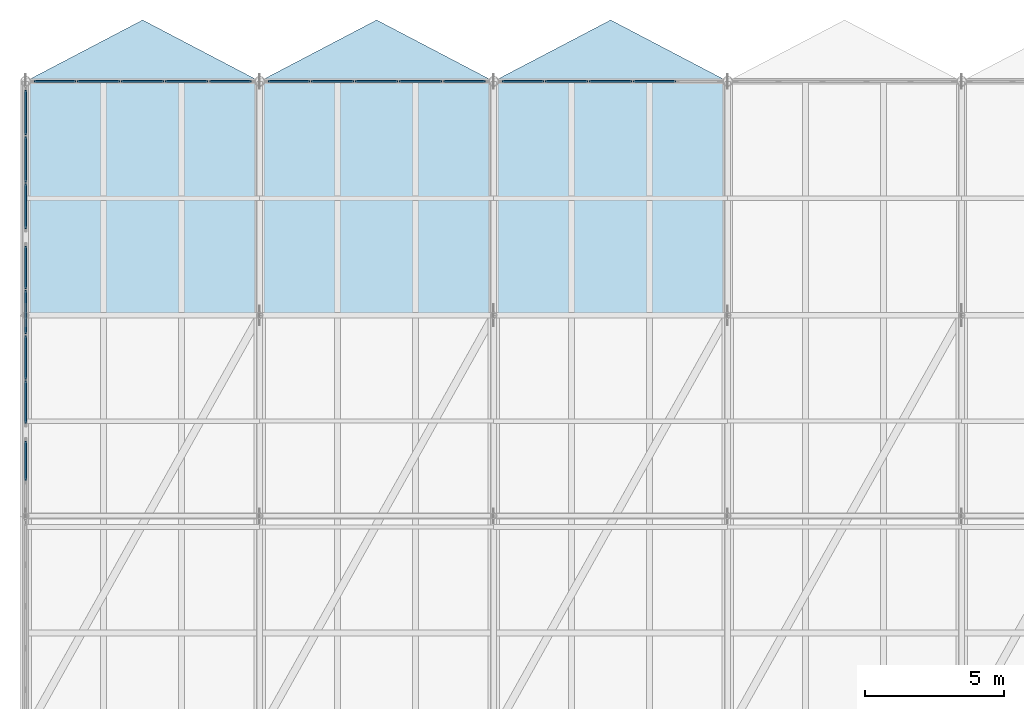
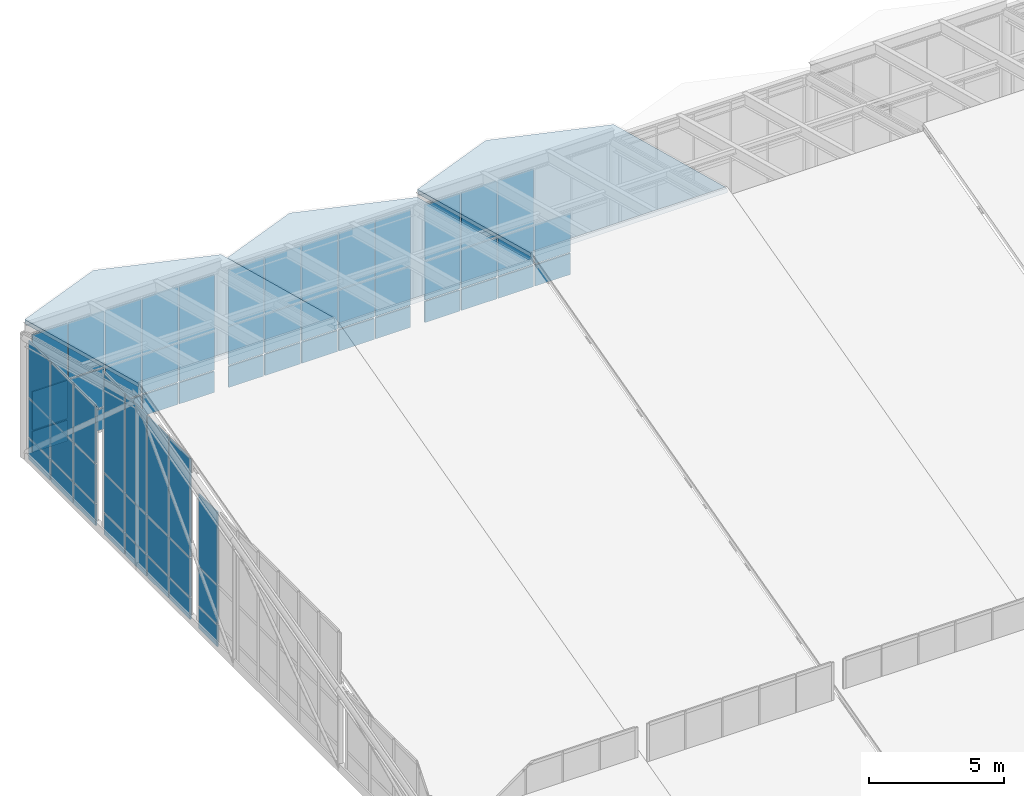
# One storey, part 37 of 43: 65 plates, 3 slabs, 6 elements without a shape of their own.
"""IFC4 building model written with IfcOpenShell, lengths in metres."""

from ifc_helpers import new_model, si_unit, direction, frame, origin, origin_2d, place, context, subcontext, project, spatial, polyline, rectangle, outline, extrude, material, layer, layer_set, type_object, element, aggregate, save


model = new_model("IFC4")

# Units and contexts
model_context = context("Model", 3, precision=1e-05, world=origin(), true_north=direction((0.0, 1.0)))
body_context = subcontext(model_context, "Body", "Model", "MODEL_VIEW")
ifc_project = project(units=[si_unit("LENGTHUNIT", "METRE"), si_unit("AREAUNIT", "SQUARE_METRE"), si_unit("VOLUMEUNIT", "CUBIC_METRE"), si_unit("PLANEANGLEUNIT", "RADIAN"), si_unit("MASSUNIT", "GRAM", prefix="KILO")], contexts=[model_context])

# Site, building, storey
site_placement = place(None, origin())
site = spatial("IfcSite", under=ifc_project, at=site_placement, CompositionType="ELEMENT")
building_placement = place(site_placement, origin())
building = spatial("IfcBuilding", under=site, at=building_placement, Name="Selat Folded Stagehouse", CompositionType="ELEMENT")
storey_placement = place(building_placement, frame((0.0, 0.0, 32.39990234375)))
storey = spatial("IfcBuildingStorey", under=building, at=storey_placement, Name="RF", CompositionType="ELEMENT", Elevation=32.39990234375)

# Curtain wall, plates
ifc_material_1 = material(Name="Aluminium 6063-T6", Category="aluminium")
ifc_layer_1 = layer(ifc_material_1, 0.169921875)
ifc_layer_set_1 = layer_set([ifc_layer_1], Name="Aluminium 6063-T6")
curtain_wall_type = type_object("IfcCurtainWallType", Name="CW-CRN-CLER", PredefinedType="NOTDEFINED", material=ifc_layer_set_1)
curtain_wall_1_placement = place(storey_placement, origin())
curtain_wall_1 = element("IfcCurtainWall", 1, at=curtain_wall_1_placement, inside=storey, type_object=curtain_wall_type, Name="RF curtain wall CW-RF-N-00", PredefinedType="NOTDEFINED")
ifc_material_2 = material(Name="Acoustic weather-louvre and frit crown panel", Category="aluminium")
ifc_layer_2 = layer(ifc_material_2, 0.06201171875)
ifc_layer_set_2 = layer_set([ifc_layer_2], Name="Acoustic weather-louvre and frit crown panel")
plate_type = type_object("IfcPlateType", Name="CWP-LVR-ALU62", PredefinedType="CURTAIN_PANEL", material=ifc_layer_set_2)
plate_1_placement = place(storey_placement, frame((9.455078125, 54.60009765625, 0.06494140625), z_axis=(0.0, 0.0, 1.0), x_axis=(1.0, 0.0, 0.0)))
plate_1 = element("IfcPlate", 2, at=plate_1_placement, type_object=plate_type, Name="CW-09 panel 1.1", PredefinedType="CURTAIN_PANEL", context=body_context, shape_type="SweptSolid", body=[
    extrude(rectangle(XDim=1.489990234375, YDim=0.06201171875, at=origin_2d()), origin(), (0.0, 0.0, 1.0), 0.952392578125),
])
plate_2_placement = place(storey_placement, frame((9.455078125, 54.60009765625, 1.08251953125), z_axis=(0.0, 0.0, 1.0), x_axis=(1.0, 0.0, 0.0)))
plate_2 = element("IfcPlate", 3, at=plate_2_placement, type_object=plate_type, Name="CW-09 panel 1.2", PredefinedType="CURTAIN_PANEL", context=body_context, shape_type="SweptSolid", body=[
    extrude(rectangle(XDim=1.489990234375, YDim=0.06201171875, at=origin_2d()), origin(), (0.0, 0.0, 1.0), 1.735107421875),
])
plate_3_placement = place(storey_placement, frame((9.455078125, 54.60009765625, 2.882568359375), z_axis=(0.0, 0.0, 1.0), x_axis=(1.0, 0.0, 0.0)))
plate_3 = element("IfcPlate", 4, at=plate_3_placement, type_object=plate_type, Name="CW-09 panel 1.3", PredefinedType="CURTAIN_PANEL", context=body_context, shape_type="SweptSolid", body=[
    extrude(rectangle(XDim=1.489990234375, YDim=0.06201171875, at=origin_2d()), origin(), (0.0, 0.0, 1.0), 2.50244140625),
])
plate_4_placement = place(storey_placement, frame((11.02001953125, 54.60009765625, 0.06494140625), z_axis=(0.0, 0.0, 1.0), x_axis=(1.0, 0.0, 0.0)))
plate_4 = element("IfcPlate", 5, at=plate_4_placement, type_object=plate_type, Name="CW-09 panel 2.1", PredefinedType="CURTAIN_PANEL", context=body_context, shape_type="SweptSolid", body=[
    extrude(rectangle(XDim=1.52001953125, YDim=0.06201171875, at=origin_2d()), origin(), (0.0, 0.0, 1.0), 0.952392578125),
])
plate_5_placement = place(storey_placement, frame((11.02001953125, 54.60009765625, 1.08251953125), z_axis=(0.0, 0.0, 1.0), x_axis=(1.0, 0.0, 0.0)))
plate_5 = element("IfcPlate", 6, at=plate_5_placement, type_object=plate_type, Name="CW-09 panel 2.2", PredefinedType="CURTAIN_PANEL", context=body_context, shape_type="SweptSolid", body=[
    extrude(rectangle(XDim=1.52001953125, YDim=0.06201171875, at=origin_2d()), origin(), (0.0, 0.0, 1.0), 1.735107421875),
])
plate_6_placement = place(storey_placement, frame((11.02001953125, 54.60009765625, 2.882568359375), z_axis=(0.0, 0.0, 1.0), x_axis=(1.0, 0.0, 0.0)))
plate_6 = element("IfcPlate", 7, at=plate_6_placement, type_object=plate_type, Name="CW-09 panel 2.3", PredefinedType="CURTAIN_PANEL", context=body_context, shape_type="SweptSolid", body=[
    extrude(rectangle(XDim=1.52001953125, YDim=0.06201171875, at=origin_2d()), origin(), (0.0, 0.0, 1.0), 2.50244140625),
])
plate_7_placement = place(storey_placement, frame((12.60009765625, 54.60009765625, 0.06494140625), z_axis=(0.0, 0.0, 1.0), x_axis=(1.0, 0.0, 0.0)))
plate_7 = element("IfcPlate", 8, at=plate_7_placement, type_object=plate_type, Name="CW-09 panel 3.1", PredefinedType="CURTAIN_PANEL", context=body_context, shape_type="SweptSolid", body=[
    extrude(rectangle(XDim=1.52001953125, YDim=0.06201171875, at=origin_2d()), origin(), (0.0, 0.0, 1.0), 0.952392578125),
])
plate_8_placement = place(storey_placement, frame((12.60009765625, 54.60009765625, 1.08251953125), z_axis=(0.0, 0.0, 1.0), x_axis=(1.0, 0.0, 0.0)))
plate_8 = element("IfcPlate", 9, at=plate_8_placement, type_object=plate_type, Name="CW-09 panel 3.2", PredefinedType="CURTAIN_PANEL", context=body_context, shape_type="SweptSolid", body=[
    extrude(rectangle(XDim=1.52001953125, YDim=0.06201171875, at=origin_2d()), origin(), (0.0, 0.0, 1.0), 1.735107421875),
])
plate_9_placement = place(storey_placement, frame((12.60009765625, 54.60009765625, 2.882568359375), z_axis=(0.0, 0.0, 1.0), x_axis=(1.0, 0.0, 0.0)))
plate_9 = element("IfcPlate", 10, at=plate_9_placement, type_object=plate_type, Name="CW-09 panel 3.3", PredefinedType="CURTAIN_PANEL", context=body_context, shape_type="SweptSolid", body=[
    extrude(rectangle(XDim=1.52001953125, YDim=0.06201171875, at=origin_2d()), origin(), (0.0, 0.0, 1.0), 2.50244140625),
])
plate_10_placement = place(storey_placement, frame((14.179931640625, 54.60009765625, 0.06494140625), z_axis=(0.0, 0.0, 1.0), x_axis=(1.0, 0.0, 0.0)))
plate_10 = element("IfcPlate", 11, at=plate_10_placement, type_object=plate_type, Name="CW-09 panel 4.1", PredefinedType="CURTAIN_PANEL", context=body_context, shape_type="SweptSolid", body=[
    extrude(rectangle(XDim=1.52001953125, YDim=0.06201171875, at=origin_2d()), origin(), (0.0, 0.0, 1.0), 0.952392578125),
])
plate_11_placement = place(storey_placement, frame((14.179931640625, 54.60009765625, 1.08251953125), z_axis=(0.0, 0.0, 1.0), x_axis=(1.0, 0.0, 0.0)))
plate_11 = element("IfcPlate", 12, at=plate_11_placement, type_object=plate_type, Name="CW-09 panel 4.2", PredefinedType="CURTAIN_PANEL", context=body_context, shape_type="SweptSolid", body=[
    extrude(rectangle(XDim=1.52001953125, YDim=0.06201171875, at=origin_2d()), origin(), (0.0, 0.0, 1.0), 1.735107421875),
])
plate_12_placement = place(storey_placement, frame((14.179931640625, 54.60009765625, 2.882568359375), z_axis=(0.0, 0.0, 1.0), x_axis=(1.0, 0.0, 0.0)))
plate_12 = element("IfcPlate", 13, at=plate_12_placement, type_object=plate_type, Name="CW-09 panel 4.3", PredefinedType="CURTAIN_PANEL", context=body_context, shape_type="SweptSolid", body=[
    extrude(rectangle(XDim=1.52001953125, YDim=0.06201171875, at=origin_2d()), origin(), (0.0, 0.0, 1.0), 2.50244140625),
])
plate_13_placement = place(storey_placement, frame((15.7451171875, 54.60009765625, 0.06494140625), z_axis=(0.0, 0.0, 1.0), x_axis=(1.0, 0.0, 0.0)))
plate_13 = element("IfcPlate", 14, at=plate_13_placement, type_object=plate_type, Name="CW-09 panel 5.1", PredefinedType="CURTAIN_PANEL", context=body_context, shape_type="SweptSolid", body=[
    extrude(rectangle(XDim=1.489990234375, YDim=0.06201171875, at=origin_2d()), origin(), (0.0, 0.0, 1.0), 0.952392578125),
])
plate_14_placement = place(storey_placement, frame((15.7451171875, 54.60009765625, 1.08251953125), z_axis=(0.0, 0.0, 1.0), x_axis=(1.0, 0.0, 0.0)))
plate_14 = element("IfcPlate", 15, at=plate_14_placement, type_object=plate_type, Name="CW-09 panel 5.2", PredefinedType="CURTAIN_PANEL", context=body_context, shape_type="SweptSolid", body=[
    extrude(rectangle(XDim=1.489990234375, YDim=0.06201171875, at=origin_2d()), origin(), (0.0, 0.0, 1.0), 1.735107421875),
])
plate_15_placement = place(storey_placement, frame((15.7451171875, 54.60009765625, 2.882568359375), z_axis=(0.0, 0.0, 1.0), x_axis=(1.0, 0.0, 0.0)))
plate_15 = element("IfcPlate", 16, at=plate_15_placement, type_object=plate_type, Name="CW-09 panel 5.3", PredefinedType="CURTAIN_PANEL", context=body_context, shape_type="SweptSolid", body=[
    extrude(rectangle(XDim=1.489990234375, YDim=0.06201171875, at=origin_2d()), origin(), (0.0, 0.0, 1.0), 2.50244140625),
])
aggregate(curtain_wall_1, [plate_1, plate_2, plate_3, plate_4, plate_5, plate_6, plate_7, plate_8, plate_9, plate_10, plate_11, plate_12, plate_13, plate_14, plate_15])

curtain_wall_2_placement = place(storey_placement, origin())
curtain_wall_2 = element("IfcCurtainWall", 17, at=curtain_wall_2_placement, inside=storey, type_object=curtain_wall_type, Name="RF curtain wall CW-RF-N-01", PredefinedType="NOTDEFINED")
plate_16_placement = place(storey_placement, frame((17.85498046875, 54.60009765625, 0.06494140625), z_axis=(0.0, 0.0, 1.0), x_axis=(1.0, 0.0, 0.0)))
plate_16 = element("IfcPlate", 18, at=plate_16_placement, type_object=plate_type, Name="CW-09 panel 1.1", PredefinedType="CURTAIN_PANEL", context=body_context, shape_type="SweptSolid", body=[
    extrude(rectangle(XDim=1.489990234375, YDim=0.06201171875, at=origin_2d()), origin(), (0.0, 0.0, 1.0), 0.952392578125),
])
plate_17_placement = place(storey_placement, frame((17.85498046875, 54.60009765625, 1.08251953125), z_axis=(0.0, 0.0, 1.0), x_axis=(1.0, 0.0, 0.0)))
plate_17 = element("IfcPlate", 19, at=plate_17_placement, type_object=plate_type, Name="CW-09 panel 1.2", PredefinedType="CURTAIN_PANEL", context=body_context, shape_type="SweptSolid", body=[
    extrude(rectangle(XDim=1.489990234375, YDim=0.06201171875, at=origin_2d()), origin(), (0.0, 0.0, 1.0), 1.735107421875),
])
plate_18_placement = place(storey_placement, frame((17.85498046875, 54.60009765625, 2.882568359375), z_axis=(0.0, 0.0, 1.0), x_axis=(1.0, 0.0, 0.0)))
plate_18 = element("IfcPlate", 20, at=plate_18_placement, type_object=plate_type, Name="CW-09 panel 1.3", PredefinedType="CURTAIN_PANEL", context=body_context, shape_type="SweptSolid", body=[
    extrude(rectangle(XDim=1.489990234375, YDim=0.06201171875, at=origin_2d()), origin(), (0.0, 0.0, 1.0), 2.50244140625),
])
plate_19_placement = place(storey_placement, frame((19.419921875, 54.60009765625, 0.06494140625), z_axis=(0.0, 0.0, 1.0), x_axis=(1.0, 0.0, 0.0)))
plate_19 = element("IfcPlate", 21, at=plate_19_placement, type_object=plate_type, Name="CW-09 panel 2.1", PredefinedType="CURTAIN_PANEL", context=body_context, shape_type="SweptSolid", body=[
    extrude(rectangle(XDim=1.52001953125, YDim=0.06201171875, at=origin_2d()), origin(), (0.0, 0.0, 1.0), 0.952392578125),
])
plate_20_placement = place(storey_placement, frame((19.419921875, 54.60009765625, 1.08251953125), z_axis=(0.0, 0.0, 1.0), x_axis=(1.0, 0.0, 0.0)))
plate_20 = element("IfcPlate", 22, at=plate_20_placement, type_object=plate_type, Name="CW-09 panel 2.2", PredefinedType="CURTAIN_PANEL", context=body_context, shape_type="SweptSolid", body=[
    extrude(rectangle(XDim=1.52001953125, YDim=0.06201171875, at=origin_2d()), origin(), (0.0, 0.0, 1.0), 1.735107421875),
])
plate_21_placement = place(storey_placement, frame((19.419921875, 54.60009765625, 2.882568359375), z_axis=(0.0, 0.0, 1.0), x_axis=(1.0, 0.0, 0.0)))
plate_21 = element("IfcPlate", 23, at=plate_21_placement, type_object=plate_type, Name="CW-09 panel 2.3", PredefinedType="CURTAIN_PANEL", context=body_context, shape_type="SweptSolid", body=[
    extrude(rectangle(XDim=1.52001953125, YDim=0.06201171875, at=origin_2d()), origin(), (0.0, 0.0, 1.0), 2.50244140625),
])
plate_22_placement = place(storey_placement, frame((21.0, 54.60009765625, 0.06494140625), z_axis=(0.0, 0.0, 1.0), x_axis=(1.0, 0.0, 0.0)))
plate_22 = element("IfcPlate", 24, at=plate_22_placement, type_object=plate_type, Name="CW-09 panel 3.1", PredefinedType="CURTAIN_PANEL", context=body_context, shape_type="SweptSolid", body=[
    extrude(rectangle(XDim=1.52001953125, YDim=0.06201171875, at=origin_2d()), origin(), (0.0, 0.0, 1.0), 0.952392578125),
])
plate_23_placement = place(storey_placement, frame((21.0, 54.60009765625, 1.08251953125), z_axis=(0.0, 0.0, 1.0), x_axis=(1.0, 0.0, 0.0)))
plate_23 = element("IfcPlate", 25, at=plate_23_placement, type_object=plate_type, Name="CW-09 panel 3.2", PredefinedType="CURTAIN_PANEL", context=body_context, shape_type="SweptSolid", body=[
    extrude(rectangle(XDim=1.52001953125, YDim=0.06201171875, at=origin_2d()), origin(), (0.0, 0.0, 1.0), 1.735107421875),
])
plate_24_placement = place(storey_placement, frame((21.0, 54.60009765625, 2.882568359375), z_axis=(0.0, 0.0, 1.0), x_axis=(1.0, 0.0, 0.0)))
plate_24 = element("IfcPlate", 26, at=plate_24_placement, type_object=plate_type, Name="CW-09 panel 3.3", PredefinedType="CURTAIN_PANEL", context=body_context, shape_type="SweptSolid", body=[
    extrude(rectangle(XDim=1.52001953125, YDim=0.06201171875, at=origin_2d()), origin(), (0.0, 0.0, 1.0), 2.50244140625),
])
plate_25_placement = place(storey_placement, frame((22.580078125, 54.60009765625, 0.06494140625), z_axis=(0.0, 0.0, 1.0), x_axis=(1.0, 0.0, 0.0)))
plate_25 = element("IfcPlate", 27, at=plate_25_placement, type_object=plate_type, Name="CW-09 panel 4.1", PredefinedType="CURTAIN_PANEL", context=body_context, shape_type="SweptSolid", body=[
    extrude(rectangle(XDim=1.52001953125, YDim=0.06201171875, at=origin_2d()), origin(), (0.0, 0.0, 1.0), 0.952392578125),
])
plate_26_placement = place(storey_placement, frame((22.580078125, 54.60009765625, 1.08251953125), z_axis=(0.0, 0.0, 1.0), x_axis=(1.0, 0.0, 0.0)))
plate_26 = element("IfcPlate", 28, at=plate_26_placement, type_object=plate_type, Name="CW-09 panel 4.2", PredefinedType="CURTAIN_PANEL", context=body_context, shape_type="SweptSolid", body=[
    extrude(rectangle(XDim=1.52001953125, YDim=0.06201171875, at=origin_2d()), origin(), (0.0, 0.0, 1.0), 1.735107421875),
])
plate_27_placement = place(storey_placement, frame((22.580078125, 54.60009765625, 2.882568359375), z_axis=(0.0, 0.0, 1.0), x_axis=(1.0, 0.0, 0.0)))
plate_27 = element("IfcPlate", 29, at=plate_27_placement, type_object=plate_type, Name="CW-09 panel 4.3", PredefinedType="CURTAIN_PANEL", context=body_context, shape_type="SweptSolid", body=[
    extrude(rectangle(XDim=1.52001953125, YDim=0.06201171875, at=origin_2d()), origin(), (0.0, 0.0, 1.0), 2.50244140625),
])
plate_28_placement = place(storey_placement, frame((24.14501953125, 54.60009765625, 0.06494140625), z_axis=(0.0, 0.0, 1.0), x_axis=(1.0, 0.0, 0.0)))
plate_28 = element("IfcPlate", 30, at=plate_28_placement, type_object=plate_type, Name="CW-09 panel 5.1", PredefinedType="CURTAIN_PANEL", context=body_context, shape_type="SweptSolid", body=[
    extrude(rectangle(XDim=1.489990234375, YDim=0.06201171875, at=origin_2d()), origin(), (0.0, 0.0, 1.0), 0.952392578125),
])
plate_29_placement = place(storey_placement, frame((24.14501953125, 54.60009765625, 1.08251953125), z_axis=(0.0, 0.0, 1.0), x_axis=(1.0, 0.0, 0.0)))
plate_29 = element("IfcPlate", 31, at=plate_29_placement, type_object=plate_type, Name="CW-09 panel 5.2", PredefinedType="CURTAIN_PANEL", context=body_context, shape_type="SweptSolid", body=[
    extrude(rectangle(XDim=1.489990234375, YDim=0.06201171875, at=origin_2d()), origin(), (0.0, 0.0, 1.0), 1.735107421875),
])
plate_30_placement = place(storey_placement, frame((24.14501953125, 54.60009765625, 2.882568359375), z_axis=(0.0, 0.0, 1.0), x_axis=(1.0, 0.0, 0.0)))
plate_30 = element("IfcPlate", 32, at=plate_30_placement, type_object=plate_type, Name="CW-09 panel 5.3", PredefinedType="CURTAIN_PANEL", context=body_context, shape_type="SweptSolid", body=[
    extrude(rectangle(XDim=1.489990234375, YDim=0.06201171875, at=origin_2d()), origin(), (0.0, 0.0, 1.0), 2.50244140625),
])
aggregate(curtain_wall_2, [plate_16, plate_17, plate_18, plate_19, plate_20, plate_21, plate_22, plate_23, plate_24, plate_25, plate_26, plate_27, plate_28, plate_29, plate_30])

curtain_wall_3_placement = place(storey_placement, origin())
curtain_wall_3 = element("IfcCurtainWall", 33, at=curtain_wall_3_placement, inside=storey, type_object=curtain_wall_type, Name="RF curtain wall CW-RF-N-02", PredefinedType="NOTDEFINED")
plate_31_placement = place(storey_placement, frame((26.2548828125, 54.60009765625, 0.06494140625), z_axis=(0.0, 0.0, 1.0), x_axis=(1.0, 0.0, 0.0)))
plate_31 = element("IfcPlate", 34, at=plate_31_placement, type_object=plate_type, Name="CW-09 panel 1.1", PredefinedType="CURTAIN_PANEL", context=body_context, shape_type="SweptSolid", body=[
    extrude(rectangle(XDim=1.489990234375, YDim=0.06201171875, at=origin_2d()), origin(), (0.0, 0.0, 1.0), 0.952392578125),
])
plate_32_placement = place(storey_placement, frame((26.2548828125, 54.60009765625, 1.08251953125), z_axis=(0.0, 0.0, 1.0), x_axis=(1.0, 0.0, 0.0)))
plate_32 = element("IfcPlate", 35, at=plate_32_placement, type_object=plate_type, Name="CW-09 panel 1.2", PredefinedType="CURTAIN_PANEL", context=body_context, shape_type="SweptSolid", body=[
    extrude(rectangle(XDim=1.489990234375, YDim=0.06201171875, at=origin_2d()), origin(), (0.0, 0.0, 1.0), 1.735107421875),
])
plate_33_placement = place(storey_placement, frame((26.2548828125, 54.60009765625, 2.882568359375), z_axis=(0.0, 0.0, 1.0), x_axis=(1.0, 0.0, 0.0)))
plate_33 = element("IfcPlate", 36, at=plate_33_placement, type_object=plate_type, Name="CW-09 panel 1.3", PredefinedType="CURTAIN_PANEL", context=body_context, shape_type="SweptSolid", body=[
    extrude(rectangle(XDim=1.489990234375, YDim=0.06201171875, at=origin_2d()), origin(), (0.0, 0.0, 1.0), 2.50244140625),
])
plate_34_placement = place(storey_placement, frame((27.820068359375, 54.60009765625, 0.06494140625), z_axis=(0.0, 0.0, 1.0), x_axis=(1.0, 0.0, 0.0)))
plate_34 = element("IfcPlate", 37, at=plate_34_placement, type_object=plate_type, Name="CW-09 panel 2.1", PredefinedType="CURTAIN_PANEL", context=body_context, shape_type="SweptSolid", body=[
    extrude(rectangle(XDim=1.52001953125, YDim=0.06201171875, at=origin_2d()), origin(), (0.0, 0.0, 1.0), 0.952392578125),
])
plate_35_placement = place(storey_placement, frame((27.820068359375, 54.60009765625, 1.08251953125), z_axis=(0.0, 0.0, 1.0), x_axis=(1.0, 0.0, 0.0)))
plate_35 = element("IfcPlate", 38, at=plate_35_placement, type_object=plate_type, Name="CW-09 panel 2.2", PredefinedType="CURTAIN_PANEL", context=body_context, shape_type="SweptSolid", body=[
    extrude(rectangle(XDim=1.52001953125, YDim=0.06201171875, at=origin_2d()), origin(), (0.0, 0.0, 1.0), 1.735107421875),
])
plate_36_placement = place(storey_placement, frame((27.820068359375, 54.60009765625, 2.882568359375), z_axis=(0.0, 0.0, 1.0), x_axis=(1.0, 0.0, 0.0)))
plate_36 = element("IfcPlate", 39, at=plate_36_placement, type_object=plate_type, Name="CW-09 panel 2.3", PredefinedType="CURTAIN_PANEL", context=body_context, shape_type="SweptSolid", body=[
    extrude(rectangle(XDim=1.52001953125, YDim=0.06201171875, at=origin_2d()), origin(), (0.0, 0.0, 1.0), 2.50244140625),
])
plate_37_placement = place(storey_placement, frame((29.39990234375, 54.60009765625, 0.06494140625), z_axis=(0.0, 0.0, 1.0), x_axis=(1.0, 0.0, 0.0)))
plate_37 = element("IfcPlate", 40, at=plate_37_placement, type_object=plate_type, Name="CW-09 panel 3.1", PredefinedType="CURTAIN_PANEL", context=body_context, shape_type="SweptSolid", body=[
    extrude(rectangle(XDim=1.52001953125, YDim=0.06201171875, at=origin_2d()), origin(), (0.0, 0.0, 1.0), 0.952392578125),
])
plate_38_placement = place(storey_placement, frame((29.39990234375, 54.60009765625, 1.08251953125), z_axis=(0.0, 0.0, 1.0), x_axis=(1.0, 0.0, 0.0)))
plate_38 = element("IfcPlate", 41, at=plate_38_placement, type_object=plate_type, Name="CW-09 panel 3.2", PredefinedType="CURTAIN_PANEL", context=body_context, shape_type="SweptSolid", body=[
    extrude(rectangle(XDim=1.52001953125, YDim=0.06201171875, at=origin_2d()), origin(), (0.0, 0.0, 1.0), 1.735107421875),
])
plate_39_placement = place(storey_placement, frame((29.39990234375, 54.60009765625, 2.882568359375), z_axis=(0.0, 0.0, 1.0), x_axis=(1.0, 0.0, 0.0)))
plate_39 = element("IfcPlate", 42, at=plate_39_placement, type_object=plate_type, Name="CW-09 panel 3.3", PredefinedType="CURTAIN_PANEL", context=body_context, shape_type="SweptSolid", body=[
    extrude(rectangle(XDim=1.52001953125, YDim=0.06201171875, at=origin_2d()), origin(), (0.0, 0.0, 1.0), 2.50244140625),
])
plate_40_placement = place(storey_placement, frame((30.97998046875, 54.60009765625, 0.06494140625), z_axis=(0.0, 0.0, 1.0), x_axis=(1.0, 0.0, 0.0)))
plate_40 = element("IfcPlate", 43, at=plate_40_placement, type_object=plate_type, Name="CW-09 panel 4.1", PredefinedType="CURTAIN_PANEL", context=body_context, shape_type="SweptSolid", body=[
    extrude(rectangle(XDim=1.52001953125, YDim=0.06201171875, at=origin_2d()), origin(), (0.0, 0.0, 1.0), 0.952392578125),
])
plate_41_placement = place(storey_placement, frame((30.97998046875, 54.60009765625, 1.08251953125), z_axis=(0.0, 0.0, 1.0), x_axis=(1.0, 0.0, 0.0)))
plate_41 = element("IfcPlate", 44, at=plate_41_placement, type_object=plate_type, Name="CW-09 panel 4.2", PredefinedType="CURTAIN_PANEL", context=body_context, shape_type="SweptSolid", body=[
    extrude(rectangle(XDim=1.52001953125, YDim=0.06201171875, at=origin_2d()), origin(), (0.0, 0.0, 1.0), 1.735107421875),
])
aggregate(curtain_wall_3, [plate_31, plate_32, plate_33, plate_34, plate_35, plate_36, plate_37, plate_38, plate_39, plate_40, plate_41])

curtain_wall_4_placement = place(storey_placement, origin())
curtain_wall_4 = element("IfcCurtainWall", 45, at=curtain_wall_4_placement, inside=storey, type_object=curtain_wall_type, Name="RF curtain wall CW-RF-W-01", PredefinedType="NOTDEFINED")
plate_42_placement = place(storey_placement, frame((8.39990234375, 40.983642578125, 0.06494140625), z_axis=(0.0, 0.0, 1.0), x_axis=(0.0, 1.0, 0.0)))
plate_42 = element("IfcPlate", 46, at=plate_42_placement, type_object=plate_type, Name="CW-09 panel 7.1", PredefinedType="CURTAIN_PANEL", context=body_context, shape_type="SweptSolid", body=[
    extrude(rectangle(XDim=1.402587890625, YDim=0.06201171875, at=origin_2d()), origin(), (0.0, 0.0, 1.0), 0.952392578125),
])
plate_43_placement = place(storey_placement, frame((8.39990234375, 40.983642578125, 1.08251953125), z_axis=(0.0, 0.0, 1.0), x_axis=(0.0, 1.0, 0.0)))
plate_43 = element("IfcPlate", 47, at=plate_43_placement, type_object=plate_type, Name="CW-09 panel 7.2", PredefinedType="CURTAIN_PANEL", context=body_context, shape_type="SweptSolid", body=[
    extrude(rectangle(XDim=1.402587890625, YDim=0.06201171875, at=origin_2d()), origin(), (0.0, 0.0, 1.0), 1.735107421875),
])
plate_44_placement = place(storey_placement, frame((8.39990234375, 40.983642578125, 2.882568359375), z_axis=(0.0, 0.0, 1.0), x_axis=(0.0, 1.0, 0.0)))
plate_44 = element("IfcPlate", 48, at=plate_44_placement, type_object=plate_type, Name="CW-09 panel 7.3", PredefinedType="CURTAIN_PANEL", context=body_context, shape_type="SweptSolid", body=[
    extrude(rectangle(XDim=1.402587890625, YDim=0.06201171875, at=origin_2d()), origin(), (0.0, 0.0, 1.0), 3.25244140625),
])
aggregate(curtain_wall_4, [plate_42, plate_43, plate_44])

curtain_wall_5_placement = place(storey_placement, origin())
curtain_wall_5 = element("IfcCurtainWall", 49, at=curtain_wall_5_placement, inside=storey, type_object=curtain_wall_type, Name="RF curtain wall CW-RF-W-02", PredefinedType="NOTDEFINED")
plate_45_placement = place(storey_placement, frame((8.39990234375, 43.078857421875, 0.06494140625), z_axis=(0.0, 0.0, 1.0), x_axis=(0.0, 1.0, 0.0)))
plate_45 = element("IfcPlate", 50, at=plate_45_placement, type_object=plate_type, Name="CW-09 panel 1.1", PredefinedType="CURTAIN_PANEL", context=body_context, shape_type="SweptSolid", body=[
    extrude(rectangle(XDim=1.527587890625, YDim=0.06201171875, at=origin_2d()), origin(), (0.0, 0.0, 1.0), 0.952392578125),
])
plate_46_placement = place(storey_placement, frame((8.39990234375, 43.078857421875, 1.08251953125), z_axis=(0.0, 0.0, 1.0), x_axis=(0.0, 1.0, 0.0)))
plate_46 = element("IfcPlate", 51, at=plate_46_placement, type_object=plate_type, Name="CW-09 panel 1.2", PredefinedType="CURTAIN_PANEL", context=body_context, shape_type="SweptSolid", body=[
    extrude(rectangle(XDim=1.527587890625, YDim=0.06201171875, at=origin_2d()), origin(), (0.0, 0.0, 1.0), 1.735107421875),
])
plate_47_placement = place(storey_placement, frame((8.39990234375, 43.078857421875, 2.8828125), z_axis=(0.0, 0.0, 1.0), x_axis=(0.0, 1.0, 0.0)))
plate_47 = element("IfcPlate", 52, at=plate_47_placement, type_object=plate_type, Name="CW-09 panel 1.3", PredefinedType="CURTAIN_PANEL", context=body_context, shape_type="SweptSolid", body=[
    extrude(rectangle(XDim=1.527587890625, YDim=0.06201171875, at=origin_2d()), origin(), (0.0, 0.0, 1.0), 4.452392578125),
])
plate_48_placement = place(storey_placement, frame((8.39990234375, 44.6875, 0.06494140625), z_axis=(0.0, 0.0, 1.0), x_axis=(0.0, 1.0, 0.0)))
plate_48 = element("IfcPlate", 53, at=plate_48_placement, type_object=plate_type, Name="CW-09 panel 2.1", PredefinedType="CURTAIN_PANEL", context=body_context, shape_type="SweptSolid", body=[
    extrude(rectangle(XDim=1.56005859375, YDim=0.06201171875, at=origin_2d()), origin(), (0.0, 0.0, 1.0), 0.952392578125),
])
plate_49_placement = place(storey_placement, frame((8.39990234375, 44.6875, 1.08251953125), z_axis=(0.0, 0.0, 1.0), x_axis=(0.0, 1.0, 0.0)))
plate_49 = element("IfcPlate", 54, at=plate_49_placement, type_object=plate_type, Name="CW-09 panel 2.2", PredefinedType="CURTAIN_PANEL", context=body_context, shape_type="SweptSolid", body=[
    extrude(rectangle(XDim=1.56005859375, YDim=0.06201171875, at=origin_2d()), origin(), (0.0, 0.0, 1.0), 1.735107421875),
])
plate_50_placement = place(storey_placement, frame((8.39990234375, 44.6875, 2.8828125), z_axis=(0.0, 0.0, 1.0), x_axis=(0.0, 1.0, 0.0)))
plate_50 = element("IfcPlate", 55, at=plate_50_placement, type_object=plate_type, Name="CW-09 panel 2.3", PredefinedType="CURTAIN_PANEL", context=body_context, shape_type="SweptSolid", body=[
    extrude(rectangle(XDim=1.56005859375, YDim=0.06201171875, at=origin_2d()), origin(), (0.0, 0.0, 1.0), 4.452392578125),
])
plate_51_placement = place(storey_placement, frame((8.39990234375, 46.3125, 0.06494140625), z_axis=(0.0, 0.0, 1.0), x_axis=(0.0, 1.0, 0.0)))
plate_51 = element("IfcPlate", 56, at=plate_51_placement, type_object=plate_type, Name="CW-09 panel 3.1", PredefinedType="CURTAIN_PANEL", context=body_context, shape_type="SweptSolid", body=[
    extrude(rectangle(XDim=1.56005859375, YDim=0.06201171875, at=origin_2d()), origin(), (0.0, 0.0, 1.0), 0.952392578125),
])
plate_52_placement = place(storey_placement, frame((8.39990234375, 46.3125, 1.08251953125), z_axis=(0.0, 0.0, 1.0), x_axis=(0.0, 1.0, 0.0)))
plate_52 = element("IfcPlate", 57, at=plate_52_placement, type_object=plate_type, Name="CW-09 panel 3.2", PredefinedType="CURTAIN_PANEL", context=body_context, shape_type="SweptSolid", body=[
    extrude(rectangle(XDim=1.56005859375, YDim=0.06201171875, at=origin_2d()), origin(), (0.0, 0.0, 1.0), 1.735107421875),
])
plate_53_placement = place(storey_placement, frame((8.39990234375, 46.3125, 2.8828125), z_axis=(0.0, 0.0, 1.0), x_axis=(0.0, 1.0, 0.0)))
plate_53 = element("IfcPlate", 58, at=plate_53_placement, type_object=plate_type, Name="CW-09 panel 3.3", PredefinedType="CURTAIN_PANEL", context=body_context, shape_type="SweptSolid", body=[
    extrude(rectangle(XDim=1.56005859375, YDim=0.06201171875, at=origin_2d()), origin(), (0.0, 0.0, 1.0), 4.452392578125),
])
plate_54_placement = place(storey_placement, frame((8.39990234375, 47.921142578125, 0.06494140625), z_axis=(0.0, 0.0, 1.0), x_axis=(0.0, 1.0, 0.0)))
plate_54 = element("IfcPlate", 59, at=plate_54_placement, type_object=plate_type, Name="CW-09 panel 4.1", PredefinedType="CURTAIN_PANEL", context=body_context, shape_type="SweptSolid", body=[
    extrude(rectangle(XDim=1.527587890625, YDim=0.06201171875, at=origin_2d()), origin(), (0.0, 0.0, 1.0), 0.952392578125),
])
plate_55_placement = place(storey_placement, frame((8.39990234375, 47.921142578125, 1.08251953125), z_axis=(0.0, 0.0, 1.0), x_axis=(0.0, 1.0, 0.0)))
plate_55 = element("IfcPlate", 60, at=plate_55_placement, type_object=plate_type, Name="CW-09 panel 4.2", PredefinedType="CURTAIN_PANEL", context=body_context, shape_type="SweptSolid", body=[
    extrude(rectangle(XDim=1.527587890625, YDim=0.06201171875, at=origin_2d()), origin(), (0.0, 0.0, 1.0), 1.735107421875),
])
plate_56_placement = place(storey_placement, frame((8.39990234375, 47.921142578125, 2.8828125), z_axis=(0.0, 0.0, 1.0), x_axis=(0.0, 1.0, 0.0)))
plate_56 = element("IfcPlate", 61, at=plate_56_placement, type_object=plate_type, Name="CW-09 panel 4.3", PredefinedType="CURTAIN_PANEL", context=body_context, shape_type="SweptSolid", body=[
    extrude(rectangle(XDim=1.527587890625, YDim=0.06201171875, at=origin_2d()), origin(), (0.0, 0.0, 1.0), 4.452392578125),
])
aggregate(curtain_wall_5, [plate_45, plate_46, plate_47, plate_48, plate_49, plate_50, plate_51, plate_52, plate_53, plate_54, plate_55, plate_56])

curtain_wall_6_placement = place(storey_placement, origin())
curtain_wall_6 = element("IfcCurtainWall", 62, at=curtain_wall_6_placement, inside=storey, type_object=curtain_wall_type, Name="RF curtain wall CW-RF-W-03", PredefinedType="NOTDEFINED")
plate_57_placement = place(storey_placement, frame((8.39990234375, 50.1162109375, 0.06494140625), z_axis=(0.0, 0.0, 1.0), x_axis=(0.0, 1.0, 0.0)))
plate_57 = element("IfcPlate", 63, at=plate_57_placement, type_object=plate_type, Name="CW-09 panel 1.1", PredefinedType="CURTAIN_PANEL", context=body_context, shape_type="SweptSolid", body=[
    extrude(rectangle(XDim=1.6025390625, YDim=0.06201171875, at=origin_2d()), origin(), (0.0, 0.0, 1.0), 0.952392578125),
])
plate_58_placement = place(storey_placement, frame((8.39990234375, 50.1162109375, 1.08251953125), z_axis=(0.0, 0.0, 1.0), x_axis=(0.0, 1.0, 0.0)))
plate_58 = element("IfcPlate", 64, at=plate_58_placement, type_object=plate_type, Name="CW-09 panel 1.2", PredefinedType="CURTAIN_PANEL", context=body_context, shape_type="SweptSolid", body=[
    extrude(rectangle(XDim=1.6025390625, YDim=0.06201171875, at=origin_2d()), origin(), (0.0, 0.0, 1.0), 1.735107421875),
])
plate_59_placement = place(storey_placement, frame((8.39990234375, 50.1162109375, 2.8828125), z_axis=(0.0, 0.0, 1.0), x_axis=(0.0, 1.0, 0.0)))
plate_59 = element("IfcPlate", 65, at=plate_59_placement, type_object=plate_type, Name="CW-09 panel 1.3", PredefinedType="CURTAIN_PANEL", context=body_context, shape_type="SweptSolid", body=[
    extrude(rectangle(XDim=1.6025390625, YDim=0.06201171875, at=origin_2d()), origin(), (0.0, 0.0, 1.0), 2.552490234375),
])
plate_60_placement = place(storey_placement, frame((8.39990234375, 51.800048828125, 0.06494140625), z_axis=(0.0, 0.0, 1.0), x_axis=(0.0, 1.0, 0.0)))
plate_60 = element("IfcPlate", 66, at=plate_60_placement, type_object=plate_type, Name="CW-09 panel 2.1", PredefinedType="CURTAIN_PANEL", context=body_context, shape_type="SweptSolid", body=[
    extrude(rectangle(XDim=1.635009765625, YDim=0.06201171875, at=origin_2d()), origin(), (0.0, 0.0, 1.0), 0.952392578125),
])
plate_61_placement = place(storey_placement, frame((8.39990234375, 51.800048828125, 1.08251953125), z_axis=(0.0, 0.0, 1.0), x_axis=(0.0, 1.0, 0.0)))
plate_61 = element("IfcPlate", 67, at=plate_61_placement, type_object=plate_type, Name="CW-09 panel 2.2", PredefinedType="CURTAIN_PANEL", context=body_context, shape_type="SweptSolid", body=[
    extrude(rectangle(XDim=1.635009765625, YDim=0.06201171875, at=origin_2d()), origin(), (0.0, 0.0, 1.0), 1.735107421875),
])
plate_62_placement = place(storey_placement, frame((8.39990234375, 51.800048828125, 2.8828125), z_axis=(0.0, 0.0, 1.0), x_axis=(0.0, 1.0, 0.0)))
plate_62 = element("IfcPlate", 68, at=plate_62_placement, type_object=plate_type, Name="CW-09 panel 2.3", PredefinedType="CURTAIN_PANEL", context=body_context, shape_type="SweptSolid", body=[
    extrude(rectangle(XDim=1.635009765625, YDim=0.06201171875, at=origin_2d()), origin(), (0.0, 0.0, 1.0), 2.552490234375),
])
plate_63_placement = place(storey_placement, frame((8.39990234375, 53.483642578125, 0.06494140625), z_axis=(0.0, 0.0, 1.0), x_axis=(0.0, 1.0, 0.0)))
plate_63 = element("IfcPlate", 69, at=plate_63_placement, type_object=plate_type, Name="CW-09 panel 3.1", PredefinedType="CURTAIN_PANEL", context=body_context, shape_type="SweptSolid", body=[
    extrude(rectangle(XDim=1.6025390625, YDim=0.06201171875, at=origin_2d()), origin(), (0.0, 0.0, 1.0), 0.952392578125),
])
plate_64_placement = place(storey_placement, frame((8.39990234375, 53.483642578125, 1.08251953125), z_axis=(0.0, 0.0, 1.0), x_axis=(0.0, 1.0, 0.0)))
plate_64 = element("IfcPlate", 70, at=plate_64_placement, type_object=plate_type, Name="CW-09 panel 3.2", PredefinedType="CURTAIN_PANEL", context=body_context, shape_type="SweptSolid", body=[
    extrude(rectangle(XDim=1.6025390625, YDim=0.06201171875, at=origin_2d()), origin(), (0.0, 0.0, 1.0), 1.735107421875),
])
plate_65_placement = place(storey_placement, frame((8.39990234375, 53.483642578125, 2.8828125), z_axis=(0.0, 0.0, 1.0), x_axis=(0.0, 1.0, 0.0)))
plate_65 = element("IfcPlate", 71, at=plate_65_placement, type_object=plate_type, Name="CW-09 panel 3.3", PredefinedType="CURTAIN_PANEL", context=body_context, shape_type="SweptSolid", body=[
    extrude(rectangle(XDim=1.6025390625, YDim=0.06201171875, at=origin_2d()), origin(), (0.0, 0.0, 1.0), 2.552490234375),
])
aggregate(curtain_wall_6, [plate_57, plate_58, plate_59, plate_60, plate_61, plate_62, plate_63, plate_64, plate_65])

# Slabs
ifc_material_3 = material(Name="Concrete C40/50", Category="concrete")
ifc_layer_3 = layer(ifc_material_3, 0.1650390625)
ifc_layer_set_3 = layer_set([ifc_layer_3], Name="Concrete C40/50")
slab_type_1 = type_object("IfcSlabType", Name="SLAB-ROOF-FP165", PredefinedType="ROOF", material=ifc_layer_set_3)
slab_1_placement = place(storey_placement, frame((16.800048828125, 46.199951171875, 8.050048828125), z_axis=(0.0, 0.255442832141, 0.966824161628), x_axis=(1.0, 0.0, 0.0)))
element("IfcSlab", 72, at=slab_1_placement, inside=storey, type_object=slab_type_1, Name="Sloped folded-plate roof facet RF-FP-B2N", PredefinedType="ROOF", context=body_context, shape_type="SweptSolid", body=[
    extrude(outline(polyline([(0.0, 0.0), (8.39990234375, 0.0), (8.39990234375, 8.68854018598498), (4.199951171875, 10.96368293246872), (0.0, 8.68854018598498), (0.0, 0.0)])), origin(), (0.0, 0.0, -1.0), 0.1650390625),
])
ifc_layer_4 = layer(ifc_material_3, 0.179931640625)
ifc_layer_set_4 = layer_set([ifc_layer_4], Name="Concrete C40/50")
slab_type_2 = type_object("IfcSlabType", Name="SLAB-ROOF-FP180", PredefinedType="ROOF", material=ifc_layer_set_4)
slab_2_placement = place(storey_placement, frame((8.39990234375, 46.199951171875, 8.400146484375), z_axis=(0.0, 0.255442832141, 0.966824161628), x_axis=(1.0, 0.0, 0.0)))
element("IfcSlab", 73, at=slab_2_placement, inside=storey, type_object=slab_type_2, Name="Sloped folded-plate roof facet RF-FP-B1N", PredefinedType="ROOF", context=body_context, shape_type="SweptSolid", body=[
    extrude(outline(polyline([(0.0, 0.0), (8.400146484375, 0.0), (8.400146484375, 8.688540185984982), (4.2001953125, 10.963682932468721), (0.0, 8.688540185984982), (0.0, 0.0)])), origin(), (0.0, 0.0, -1.0), 0.179931640625),
])
slab_3_placement = place(storey_placement, frame((25.199951171875, 46.199951171875, 8.400146484375), z_axis=(0.0, 0.255442832141, 0.966824161628), x_axis=(1.0, 0.0, 0.0)))
element("IfcSlab", 74, at=slab_3_placement, inside=storey, type_object=slab_type_2, Name="Sloped folded-plate roof facet RF-FP-B3N", PredefinedType="ROOF", context=body_context, shape_type="SweptSolid", body=[
    extrude(outline(polyline([(0.0, 0.0), (8.400146484375, 0.0), (8.400146484375, 8.688540185984982), (4.199951171875, 10.963682932468721), (0.0, 8.688540185984982), (0.0, 0.0)])), origin(), (0.0, 0.0, -1.0), 0.179931640625),
])

save(model, "model.ifc")
